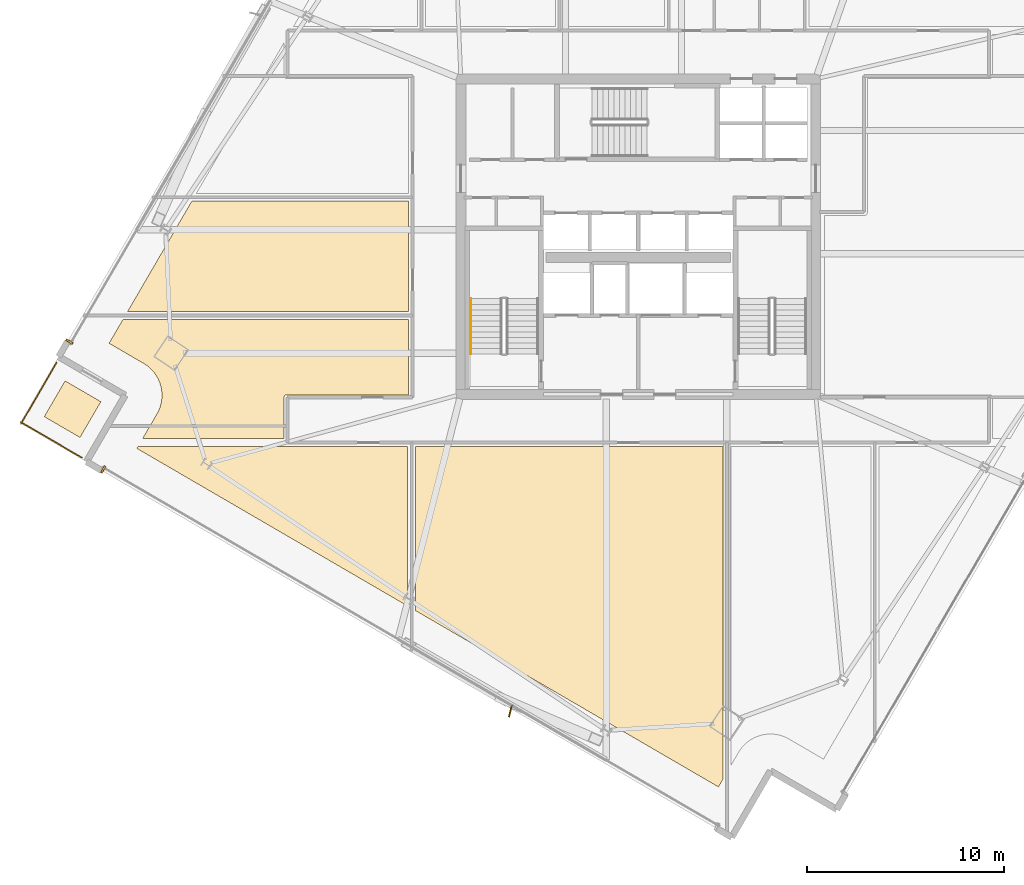
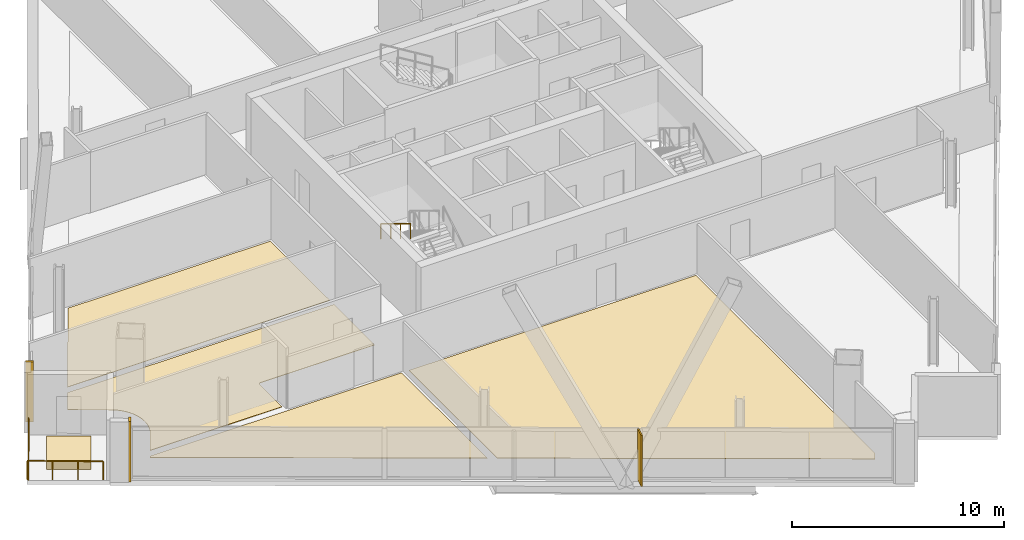
# One storey, part 25 of 29: 7 coverings, 3 railings, 1 shading device.
"""IFC4 building model written with IfcOpenShell, lengths in metres."""

from ifc_helpers import new_model, si_unit, direction, frame, origin, origin_2d, place, context, subcontext, project, spatial, polyline, rectangle, outline, extrude, source, transform, mapped, material, layer, layer_set, type_object, element, save


model = new_model("IFC4")

# Units and contexts
model_context = context("Model", 3, precision=1e-05, world=origin(), true_north=direction((0.0, 1.0)))
body_context = subcontext(model_context, "Body", "Model", "MODEL_VIEW")
ifc_project = project(units=[si_unit("LENGTHUNIT", "METRE"), si_unit("AREAUNIT", "SQUARE_METRE"), si_unit("VOLUMEUNIT", "CUBIC_METRE"), si_unit("PLANEANGLEUNIT", "RADIAN"), si_unit("MASSUNIT", "GRAM", prefix="KILO")], contexts=[model_context])

# Site, building, storey
site_placement = place(None, origin())
site = spatial("IfcSite", under=ifc_project, at=site_placement, CompositionType="ELEMENT")
building_placement = place(site_placement, origin())
building = spatial("IfcBuilding", under=site, at=building_placement, Name="Haldenkirk Collegiate Tower", CompositionType="ELEMENT")
storey_placement = place(building_placement, frame((0.0, 0.0, 228.449951171875)))
storey = spatial("IfcBuildingStorey", under=building, at=storey_placement, Name="L57", CompositionType="ELEMENT", Elevation=228.449951171875)

# Coverings
ifc_material_1 = material(Name="Polished collegiate terrazzo", Category="concrete")
ifc_layer_1 = layer(ifc_material_1, 0.02490234375)
ifc_layer_set_1 = layer_set([ifc_layer_1], Name="Polished collegiate terrazzo")
covering_type_1 = type_object("IfcCoveringType", Name="COV-FLOOR-TERRAZZO", PredefinedType="FLOORING", material=ifc_layer_set_1)
covering_1_placement = place(storey_placement, origin())
element("IfcCovering", 1, at=covering_1_placement, inside=storey, type_object=covering_type_1, Name="L57 academic room finish 02", PredefinedType="FLOORING", context=body_context, shape_type="SweptSolid", body=[
    extrude(outline(polyline([(40.065673828125, -1.91357421875), (24.699951171875, 7.029296875), (24.699951171875, 15.35009765625), (40.300048828125, 15.35009765625), (40.300048828125, -1.510986328125), (40.065673828125, -1.91357421875)])), origin(), (0.0, 0.0, 1.0), 0.025146484375),
])
covering_2_placement = place(storey_placement, origin())
element("IfcCovering", 2, at=covering_2_placement, inside=storey, type_object=covering_type_1, Name="L57 academic room finish 08", PredefinedType="FLOORING", context=body_context, shape_type="SweptSolid", body=[
    extrude(outline(polyline([(11.666748046875, 17.1689453125), (11.67138671875, 17.1796875), (11.735107421875, 17.339111328125), (11.739013671875, 17.350341796875), (11.786865234375, 17.515380859375), (11.78955078125, 17.52685546875), (11.82080078125, 17.695556640625), (11.822509765625, 17.707275390625), (11.837158203125, 17.87841796875), (11.83740234375, 17.89013671875), (11.835205078125, 18.06201171875), (11.83447265625, 18.07373046875), (11.8154296875, 18.244384765625), (11.813720703125, 18.255859375), (11.77783203125, 18.423828125), (11.77490234375, 18.435302734375), (11.722900390625, 18.59912109375), (11.718994140625, 18.610107421875), (11.651123046875, 18.767822265625), (11.64599609375, 18.7783203125), (11.56298828125, 18.9287109375), (11.556884765625, 18.938720703125), (11.459716796875, 19.080322265625), (11.452392578125, 19.08984375), (11.341796875, 19.22119140625), (11.333740234375, 19.229736328125), (11.210693359375, 19.349609375), (11.201904296875, 19.357421875), (11.06787109375, 19.464599609375), (11.058349609375, 19.471435546875), (10.914306640625, 19.565185546875), (10.9091796875, 19.568115234375), (9.15478515625, 20.58935546875), (9.859375, 21.800048828125), (24.35009765625, 21.800048828125), (24.35009765625, 17.969970703125), (18.14990234375, 17.969970703125), (18.13818359375, 17.969482421875), (18.126708984375, 17.9677734375), (18.115234375, 17.96484375), (18.10400390625, 17.9609375), (18.093505859375, 17.955810546875), (18.083251953125, 17.94970703125), (18.073974609375, 17.94287109375), (18.065185546875, 17.934814453125), (18.05712890625, 17.926025390625), (18.05029296875, 17.916748046875), (18.044189453125, 17.906494140625), (18.0390625, 17.89599609375), (18.03515625, 17.884765625), (18.0322265625, 17.873291015625), (18.030517578125, 17.86181640625), (18.030029296875, 17.85009765625), (18.030029296875, 15.75), (10.8505859375, 15.75), (11.584716796875, 17.01123046875), (11.587646484375, 17.0166015625), (11.666748046875, 17.1689453125)])), origin(), (0.0, 0.0, 1.0), 0.025146484375),
])
ifc_material_2 = material(Name="Engineered collegiate oak acoustic flooring", Category="wood")
ifc_layer_2 = layer(ifc_material_2, 0.02197265625)
ifc_layer_set_2 = layer_set([ifc_layer_2], Name="Engineered collegiate oak acoustic flooring")
covering_type_2 = type_object("IfcCoveringType", Name="COV-FLOOR-TIMBER", PredefinedType="FLOORING", material=ifc_layer_set_2)
covering_3_placement = place(storey_placement, origin())
element("IfcCovering", 3, at=covering_3_placement, inside=storey, type_object=covering_type_2, Name="L57 academic room finish 01", PredefinedType="FLOORING", context=body_context, shape_type="SweptSolid", body=[
    extrude(outline(polyline([(10.563720703125, 15.2568359375), (10.617919921875, 15.35009765625), (24.300048828125, 15.35009765625), (24.300048828125, 7.26220703125), (10.563720703125, 15.2568359375)])), origin(), (0.0, 0.0, 1.0), 0.02197265625),
])
covering_4_placement = place(storey_placement, origin())
element("IfcCovering", 4, at=covering_4_placement, inside=storey, type_object=covering_type_2, Name="L57 academic room finish 09", PredefinedType="FLOORING", context=body_context, shape_type="SweptSolid", body=[
    extrude(outline(polyline([(13.351318359375, 27.800048828125), (24.35009765625, 27.800048828125), (24.35009765625, 22.199951171875), (10.09228515625, 22.199951171875), (13.351318359375, 27.800048828125)])), origin(), (0.0, 0.0, 1.0), 0.02197265625),
])
ifc_material_3 = material(Name="Precast concrete f'c 40 MPa", Category="concrete")
ifc_layer_3 = layer(ifc_material_3, 0.449951171875)
ifc_layer_set_3 = layer_set([ifc_layer_3], Name="Precast concrete f'c 40 MPa")
covering_type_3 = type_object("IfcCoveringType", Name="COV-PLANTER-450", PredefinedType="USERDEFINED", material=ifc_layer_set_3)
covering_5_placement = place(storey_placement, origin())
element("IfcCovering", 5, at=covering_5_placement, inside=storey, type_object=covering_type_3, Name="L57 planted garden planter bed", ObjectType="PLANTER", PredefinedType="USERDEFINED", context=body_context, shape_type="SweptSolid", body=[
    extrude(outline(polyline([(7.681640625, 15.81201171875), (5.86669921875, 16.8681640625), (6.923095703125, 18.68310546875), (8.738037109375, 17.626953125), (7.681640625, 15.81201171875)])), origin(), (0.0, 0.0, 1.0), 0.449951171875),
])

# Railings
ifc_material_4 = material(Name="Painted architectural tubular steel", Category="steel")
railing_type_1 = type_object("IfcRailingType", Name="RLG-STAIR-HANDRAIL-900", PredefinedType="HANDRAIL", material=ifc_material_4)
railing_1_placement = place(storey_placement, frame((27.5, 22.85009765625, 2.04541015625)))
element("IfcRailing", 6, at=railing_1_placement, inside=storey, type_object=railing_type_1, Name="L57 ST-1 stair handrail 2", PredefinedType="HANDRAIL", context=body_context, shape_type="SweptSolid", body=[
    extrude(rectangle(XDim=0.048095703125, YDim=0.048095703125, at=origin_2d()), frame((0.0, 0.0, 0.8759765625), z_axis=(0.0, -0.854169791009, 0.51999420009), x_axis=(1.0, 0.0, 0.0)), (0.0, 0.0, 1.0), 3.278076171875),
    extrude(rectangle(XDim=0.0419921875, YDim=0.0419921875, at=origin_2d()), origin(), (0.0, 0.0, 1.0), 0.851806640625),
    extrude(rectangle(XDim=0.0419921875, YDim=0.0419921875, at=origin_2d()), frame((0.0, -0.933349609375, 0.568115234375)), (0.0, 0.0, 1.0), 0.851806640625),
    extrude(rectangle(XDim=0.0419921875, YDim=0.0419921875, at=origin_2d()), frame((0.0, -1.86669921875, 1.136474609375)), (0.0, 0.0, 1.0), 0.851806640625),
    extrude(rectangle(XDim=0.0419921875, YDim=0.0419921875, at=origin_2d()), frame((0.0, -2.800048828125, 1.70458984375)), (0.0, 0.0, 1.0), 0.851806640625),
])
ifc_material_5 = material(Name="Anodised architectural bronze aluminium", Category="aluminium")
railing_type_2 = type_object("IfcRailingType", Name="RLG-TERR-BALUSTRADE-1100", PredefinedType="BALUSTRADE", material=ifc_material_5)
railing_2_placement = place(storey_placement, frame((6.48876953125, 19.607177734375, 0.0)))
element("IfcRailing", 7, at=railing_2_placement, inside=storey, type_object=railing_type_2, Name="L57 terrace guard balustrade 3-1", PredefinedType="BALUSTRADE", context=body_context, shape_type="SweptSolid", body=[
    extrude(rectangle(XDim=0.048095703125, YDim=0.048095703125, at=origin_2d()), frame((0.0, 0.0, 1.076171875), z_axis=(-0.502997322195, -0.864287969293, 0.0), x_axis=(0.864287969293, -0.502997322195, 0.0)), (0.0, 0.0, 1.0), 3.580078125),
    extrude(rectangle(XDim=0.0419921875, YDim=0.0419921875, at=origin_2d()), origin(), (0.0, 0.0, 1.0), 1.052001953125),
    extrude(rectangle(XDim=0.0419921875, YDim=0.0419921875, at=origin_2d()), frame((-0.600341796875, -1.031494140625, 0.0)), (0.0, 0.0, 1.0), 1.052001953125),
    extrude(rectangle(XDim=0.0419921875, YDim=0.0419921875, at=origin_2d()), frame((-1.200439453125, -2.062744140625, 0.0)), (0.0, 0.0, 1.0), 1.052001953125),
    extrude(rectangle(XDim=0.0419921875, YDim=0.0419921875, at=origin_2d()), frame((-1.80078125, -3.09423828125, 0.0)), (0.0, 0.0, 1.0), 1.052001953125),
])
railing_3_placement = place(storey_placement, frame((4.666259765625, 16.594970703125, 0.0)))
element("IfcRailing", 8, at=railing_3_placement, inside=storey, type_object=railing_type_2, Name="L57 terrace guard balustrade 4-1", PredefinedType="BALUSTRADE", context=body_context, shape_type="SweptSolid", body=[
    extrude(rectangle(XDim=0.048095703125, YDim=0.048095703125, at=origin_2d()), frame((0.0, 0.0, 1.076171875), z_axis=(0.864287969293, -0.502997322195, 0.0), x_axis=(0.502997322195, 0.864287969293, 0.0)), (0.0, 0.0, 1.0), 3.580078125),
    extrude(rectangle(XDim=0.0419921875, YDim=0.0419921875, at=origin_2d()), origin(), (0.0, 0.0, 1.0), 1.052001953125),
    extrude(rectangle(XDim=0.0419921875, YDim=0.0419921875, at=origin_2d()), frame((1.031494140625, -0.600341796875, 0.0)), (0.0, 0.0, 1.0), 1.052001953125),
    extrude(rectangle(XDim=0.0419921875, YDim=0.0419921875, at=origin_2d()), frame((2.062744140625, -1.200439453125, 0.0)), (0.0, 0.0, 1.0), 1.052001953125),
    extrude(rectangle(XDim=0.0419921875, YDim=0.0419921875, at=origin_2d()), frame((3.09423828125, -1.80078125, 0.0)), (0.0, 0.0, 1.0), 1.052001953125),
])

# Coverings
ifc_layer_4 = layer(ifc_material_5, 0.06005859375)
ifc_layer_set_4 = layer_set([ifc_layer_4], Name="Anodised architectural bronze aluminium")
covering_type_4 = type_object("IfcCoveringType", Name="COV-CLAD-BRONZE-60", PredefinedType="CLADDING", material=ifc_layer_set_4)
shared_shape_1 = source(origin(), body_context, "Body", "SweptSolid", [
    extrude(rectangle(XDim=0.10009765625, YDim=0.3798828125, at=origin_2d()), origin(), (0.0, 0.0, 1.0), 3.469970703125),
])
for number, where, z_axis, x_axis, name in (
    (9, (7.1435546875, 20.67236328125, 0.0), (0.0, 0.0, 1.0), (0.50301994663, 0.864274801954, 0.0), "L57 recessed curtain-wall bronze jamb closure NJL"),
    (10, (8.855712890625, 14.19140625, 0.0), (0.0, 0.0, 1.0), (-0.864274801954, 0.50301994663, 0.0), "L57 recessed curtain-wall bronze jamb closure WJR"),
):
    element("IfcCovering", number, at=place(storey_placement, frame(where, z_axis=z_axis, x_axis=x_axis)), inside=storey, type_object=covering_type_4, Name=name, PredefinedType="CLADDING", context=body_context, shape_type="MappedRepresentation", body=[
        mapped(shared_shape_1, transform((0.0, 0.0, 0.0), x_axis=(1.0, 0.0, 0.0), y_axis=(0.0, 1.0, 0.0), z_axis=(0.0, 0.0, 1.0), scale=1.0)),
    ])

# Shading device
ifc_layer_5 = layer(ifc_material_5, 0.06494140625)
ifc_layer_set_5 = layer_set([ifc_layer_5], Name="Anodised architectural bronze aluminium")
shading_device_type = type_object("IfcShadingDeviceType", Name="SHD-FIN-BRONZE-620", PredefinedType="USERDEFINED", material=ifc_layer_set_5)
shared_shape_2 = source(origin(), body_context, "Body", "SweptSolid", [
    extrude(rectangle(XDim=0.6201171875, YDim=0.06494140625, at=origin_2d()), origin(), (0.0, 0.0, 1.0), 2.927978515625),
])
shading_device_placement = place(storey_placement, frame((29.5126953125, 1.931640625, 0.0), z_axis=(0.0, 0.0, 1.0), x_axis=(-0.245307385879, -0.969445349895, 0.0)))
element("IfcShadingDevice", 11, at=shading_device_placement, inside=storey, type_object=shading_device_type, Name="L57 folded bronze solar fin 1", ObjectType="FIN", PredefinedType="USERDEFINED", context=body_context, shape_type="MappedRepresentation", body=[
    mapped(shared_shape_2, transform((0.0, 0.0, 0.0), x_axis=(1.0, 0.0, 0.0), y_axis=(0.0, 1.0, 0.0), z_axis=(0.0, 0.0, 1.0), scale=1.0)),
])

save(model, "model.ifc")
